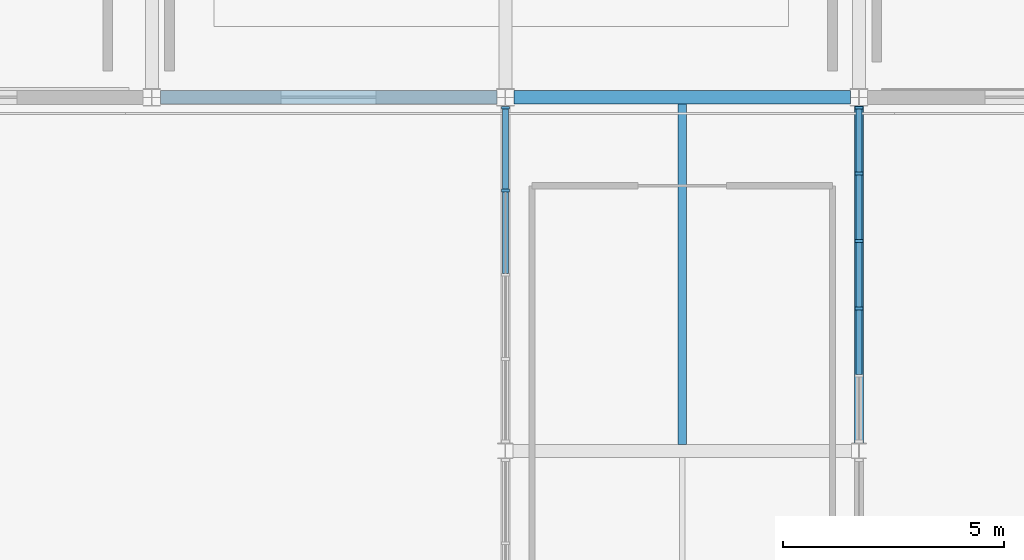
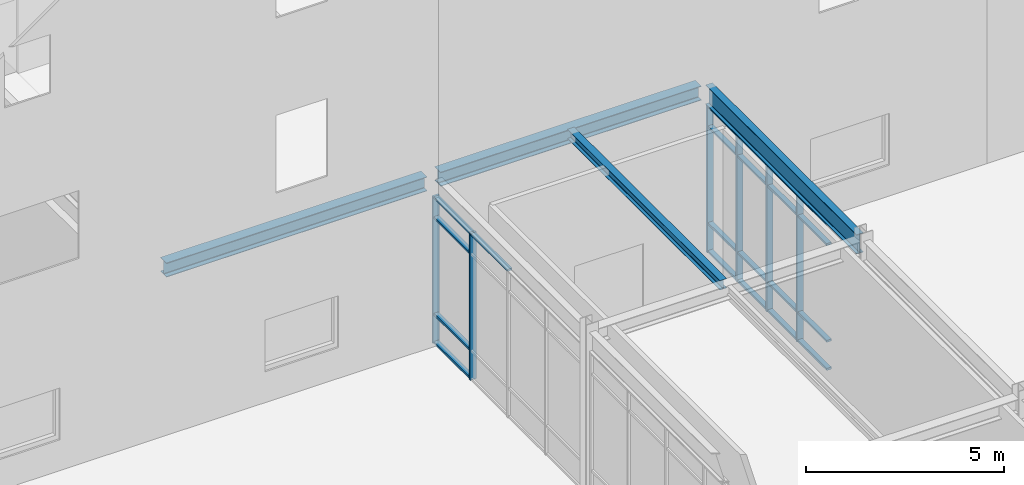
# One storey, part 39 of 119: 27 members, 4 beams, 2 elements without a shape of their own.
"""IFC4 building model written with IfcOpenShell, lengths in metres."""

from ifc_helpers import new_model, si_unit, direction, frame, origin, origin_2d, place, context, subcontext, project, spatial, rectangle, i_section, extrude, material, material_profile, profile_set, type_object, element, aggregate, save


model = new_model("IFC4")

# Units and contexts
model_context = context("Model", 3, precision=1e-05, world=origin(), true_north=direction((0.0, 1.0)))
body_context = subcontext(model_context, "Body", "Model", "MODEL_VIEW")
ifc_project = project(units=[si_unit("LENGTHUNIT", "METRE"), si_unit("AREAUNIT", "SQUARE_METRE"), si_unit("VOLUMEUNIT", "CUBIC_METRE"), si_unit("PLANEANGLEUNIT", "RADIAN"), si_unit("MASSUNIT", "GRAM", prefix="KILO")], contexts=[model_context])

# Site, building, storey
site_placement = place(None, origin())
site = spatial("IfcSite", under=ifc_project, at=site_placement, CompositionType="ELEMENT")
building_placement = place(site_placement, origin())
building = spatial("IfcBuilding", under=site, at=building_placement, Name="Zhaolan Boulevard Law Courts", CompositionType="ELEMENT")
storey_placement = place(building_placement, origin())
storey = spatial("IfcBuildingStorey", under=building, at=storey_placement, Name="L00", CompositionType="ELEMENT", Elevation=0.0)

# Curtain wall, members
ifc_material_1 = material(Name="Thermally broken aluminium and low-E glazing", Category="aluminium")
curtain_wall_type_1 = type_object("IfcCurtainWallType", Name="CURTAIN WALL M23", PredefinedType="USERDEFINED", material=ifc_material_1)
curtain_wall_1_placement = place(storey_placement, origin())
curtain_wall_1 = element("IfcCurtainWall", 1, at=curtain_wall_1_placement, inside=storey, type_object=curtain_wall_type_1, Name="Curtain Wall CW-L00-023", ObjectType="CURTAIN WALL", PredefinedType="USERDEFINED")
ifc_material_2 = material(Name="Fluorocarbon-coated aluminium 6063-T6", Category="aluminium")
ifc_material_profile_1 = material_profile(ifc_material_2, rectangle(XDim=0.179931640625, YDim=0.06494140625, at=origin_2d()), Name="AL65x180")
ifc_profile_set_1 = profile_set([ifc_material_profile_1], Name="Fluorocarbon-coated aluminium 6063-T6")
member_type_1 = type_object("IfcMemberType", Name="CWMULLION 65X180", PredefinedType="MULLION", material=ifc_profile_set_1)
member_1_placement = place(storey_placement, frame((116.0, 61.765380859375, 0.0), z_axis=(0.0, 0.0, 1.0), x_axis=(1.0, 0.0, 0.0)))
member_1 = element("IfcMember", 2, at=member_1_placement, type_object=member_type_1, Name="CW-L00-023 mullion 1", PredefinedType="MULLION", context=body_context, shape_type="SweptSolid", body=[
    extrude(rectangle(XDim=0.179931640625, YDim=0.06494140625, at=origin_2d()), origin(), (0.0, 0.0, 1.0), 4.532958984375),
])
member_2_placement = place(storey_placement, frame((116.0, 59.892822265625, 0.0), z_axis=(0.0, 0.0, 1.0), x_axis=(1.0, 0.0, 0.0)))
member_2 = element("IfcMember", 3, at=member_2_placement, type_object=member_type_1, Name="CW-L00-023 mullion 2", PredefinedType="MULLION", context=body_context, shape_type="SweptSolid", body=[
    extrude(rectangle(XDim=0.179931640625, YDim=0.06494140625, at=origin_2d()), origin(), (0.0, 0.0, 1.0), 4.532958984375),
])

ifc_material_3 = material(Name="Thermally broken aluminium and low-E glazing", Category="aluminium")
curtain_wall_type_2 = type_object("IfcCurtainWallType", Name="CURTAIN WALL M3", PredefinedType="USERDEFINED", material=ifc_material_3)
curtain_wall_2_placement = place(storey_placement, origin())
curtain_wall_2 = element("IfcCurtainWall", 4, at=curtain_wall_2_placement, inside=storey, type_object=curtain_wall_type_2, Name="Curtain Wall CW-L00-027", ObjectType="CURTAIN WALL", PredefinedType="USERDEFINED")
member_3_placement = place(storey_placement, frame((124.0, 57.225341796875, 0.0), z_axis=(0.0, 0.0, 1.0), x_axis=(-1.0, 0.0, 0.0)))
member_3 = element("IfcMember", 5, at=member_3_placement, type_object=member_type_1, Name="CW-L00-027 mullion 3", PredefinedType="MULLION", context=body_context, shape_type="SweptSolid", body=[
    extrude(rectangle(XDim=0.179931640625, YDim=0.06494140625, at=origin_2d()), origin(), (0.0, 0.0, 1.0), 4.532958984375),
])
member_4_placement = place(storey_placement, frame((124.0, 58.74951171875, 0.0), z_axis=(0.0, 0.0, 1.0), x_axis=(-1.0, 0.0, 0.0)))
member_4 = element("IfcMember", 6, at=member_4_placement, type_object=member_type_1, Name="CW-L00-027 mullion 4", PredefinedType="MULLION", context=body_context, shape_type="SweptSolid", body=[
    extrude(rectangle(XDim=0.179931640625, YDim=0.06494140625, at=origin_2d()), origin(), (0.0, 0.0, 1.0), 4.532958984375),
])
member_5_placement = place(storey_placement, frame((124.0, 60.273681640625, 0.0), z_axis=(0.0, 0.0, 1.0), x_axis=(-1.0, 0.0, 0.0)))
member_5 = element("IfcMember", 7, at=member_5_placement, type_object=member_type_1, Name="CW-L00-027 mullion 5", PredefinedType="MULLION", context=body_context, shape_type="SweptSolid", body=[
    extrude(rectangle(XDim=0.179931640625, YDim=0.06494140625, at=origin_2d()), origin(), (0.0, 0.0, 1.0), 4.532958984375),
])
member_6_placement = place(storey_placement, frame((124.0, 61.765380859375, 0.0), z_axis=(0.0, 0.0, 1.0), x_axis=(-1.0, 0.0, 0.0)))
member_6 = element("IfcMember", 8, at=member_6_placement, type_object=member_type_1, Name="CW-L00-027 mullion 6", PredefinedType="MULLION", context=body_context, shape_type="SweptSolid", body=[
    extrude(rectangle(XDim=0.179931640625, YDim=0.06494140625, at=origin_2d()), origin(), (0.0, 0.0, 1.0), 4.532958984375),
])

# Member
ifc_material_4 = material(Name="Fluorocarbon-coated aluminium 6063-T6", Category="aluminium")
ifc_material_profile_2 = material_profile(ifc_material_4, rectangle(XDim=0.139892578125, YDim=0.06494140625, at=origin_2d()), Name="AL65x140")
ifc_profile_set_2 = profile_set([ifc_material_profile_2], Name="Fluorocarbon-coated aluminium 6063-T6")
member_type_2 = type_object("IfcMemberType", Name="CWTRANSOM 65X140", PredefinedType="USERDEFINED", material=ifc_profile_set_2)
member_7_placement = place(storey_placement, frame((116.0, 61.73291015625, 0.032470703125), z_axis=(0.0, -1.0, 0.0), x_axis=(1.0, 0.0, 0.0)))
member_7 = element("IfcMember", 9, at=member_7_placement, type_object=member_type_2, Name="CW-L00-023 transom 1.1", ObjectType="TRANSOM", PredefinedType="USERDEFINED", context=body_context, shape_type="SweptSolid", body=[
    extrude(rectangle(XDim=0.139892578125, YDim=0.06494140625, at=origin_2d()), origin(), (0.0, 0.0, 1.0), 1.8076171875),
])

member_8_placement = place(storey_placement, frame((116.0, 61.73291015625, 0.89990234375), z_axis=(0.0, -1.0, 0.0), x_axis=(1.0, 0.0, 0.0)))
member_8 = element("IfcMember", 10, at=member_8_placement, type_object=member_type_2, Name="CW-L00-023 transom 1.2", ObjectType="TRANSOM", PredefinedType="USERDEFINED", context=body_context, shape_type="SweptSolid", body=[
    extrude(rectangle(XDim=0.139892578125, YDim=0.06494140625, at=origin_2d()), origin(), (0.0, 0.0, 1.0), 1.8076171875),
])

member_9_placement = place(storey_placement, frame((116.0, 61.73291015625, 3.883056640625), z_axis=(0.0, -1.0, 0.0), x_axis=(1.0, 0.0, 0.0)))
member_9 = element("IfcMember", 11, at=member_9_placement, type_object=member_type_2, Name="CW-L00-023 transom 1.3", ObjectType="TRANSOM", PredefinedType="USERDEFINED", context=body_context, shape_type="SweptSolid", body=[
    extrude(rectangle(XDim=0.139892578125, YDim=0.06494140625, at=origin_2d()), origin(), (0.0, 0.0, 1.0), 1.8076171875),
])

member_10_placement = place(storey_placement, frame((116.0, 61.73291015625, 4.50048828125), z_axis=(0.0, -1.0, 0.0), x_axis=(1.0, 0.0, 0.0)))
member_10 = element("IfcMember", 12, at=member_10_placement, type_object=member_type_2, Name="CW-L00-023 transom 1.4", ObjectType="TRANSOM", PredefinedType="USERDEFINED", context=body_context, shape_type="SweptSolid", body=[
    extrude(rectangle(XDim=0.139892578125, YDim=0.06494140625, at=origin_2d()), origin(), (0.0, 0.0, 1.0), 1.8076171875),
])

member_11_placement = place(storey_placement, frame((116.0, 59.8603515625, 4.50048828125), z_axis=(0.0, -1.0, 0.0), x_axis=(1.0, 0.0, 0.0)))
member_11 = element("IfcMember", 13, at=member_11_placement, type_object=member_type_2, Name="CW-L00-023 transom 2.4", ObjectType="TRANSOM", PredefinedType="USERDEFINED", context=body_context, shape_type="SweptSolid", body=[
    extrude(rectangle(XDim=0.139892578125, YDim=0.06494140625, at=origin_2d()), origin(), (0.0, 0.0, 1.0), 1.84033203125),
])

aggregate(curtain_wall_1, [member_1, member_2, member_7, member_8, member_9, member_10, member_11])

member_12_placement = place(storey_placement, frame((124.0, 55.733642578125, 0.032470703125), z_axis=(0.0, 1.0, 0.0), x_axis=(-1.0, 0.0, 0.0)))
member_12 = element("IfcMember", 14, at=member_12_placement, type_object=member_type_2, Name="CW-L00-027 transom 2.1", ObjectType="TRANSOM", PredefinedType="USERDEFINED", context=body_context, shape_type="SweptSolid", body=[
    extrude(rectangle(XDim=0.139892578125, YDim=0.06494140625, at=origin_2d()), origin(), (0.0, 0.0, 1.0), 1.459228515625),
])

member_13_placement = place(storey_placement, frame((124.0, 55.733642578125, 0.89990234375), z_axis=(0.0, 1.0, 0.0), x_axis=(-1.0, 0.0, 0.0)))
member_13 = element("IfcMember", 15, at=member_13_placement, type_object=member_type_2, Name="CW-L00-027 transom 2.2", ObjectType="TRANSOM", PredefinedType="USERDEFINED", context=body_context, shape_type="SweptSolid", body=[
    extrude(rectangle(XDim=0.139892578125, YDim=0.06494140625, at=origin_2d()), origin(), (0.0, 0.0, 1.0), 1.459228515625),
])

member_14_placement = place(storey_placement, frame((124.0, 55.733642578125, 3.883056640625), z_axis=(0.0, 1.0, 0.0), x_axis=(-1.0, 0.0, 0.0)))
member_14 = element("IfcMember", 16, at=member_14_placement, type_object=member_type_2, Name="CW-L00-027 transom 2.3", ObjectType="TRANSOM", PredefinedType="USERDEFINED", context=body_context, shape_type="SweptSolid", body=[
    extrude(rectangle(XDim=0.139892578125, YDim=0.06494140625, at=origin_2d()), origin(), (0.0, 0.0, 1.0), 1.459228515625),
])

member_15_placement = place(storey_placement, frame((124.0, 55.733642578125, 4.50048828125), z_axis=(0.0, 1.0, 0.0), x_axis=(-1.0, 0.0, 0.0)))
member_15 = element("IfcMember", 17, at=member_15_placement, type_object=member_type_2, Name="CW-L00-027 transom 2.4", ObjectType="TRANSOM", PredefinedType="USERDEFINED", context=body_context, shape_type="SweptSolid", body=[
    extrude(rectangle(XDim=0.139892578125, YDim=0.06494140625, at=origin_2d()), origin(), (0.0, 0.0, 1.0), 1.459228515625),
])

member_16_placement = place(storey_placement, frame((124.0, 57.2578125, 0.032470703125), z_axis=(0.0, 1.0, 0.0), x_axis=(-1.0, 0.0, 0.0)))
member_16 = element("IfcMember", 18, at=member_16_placement, type_object=member_type_2, Name="CW-L00-027 transom 3.1", ObjectType="TRANSOM", PredefinedType="USERDEFINED", context=body_context, shape_type="SweptSolid", body=[
    extrude(rectangle(XDim=0.139892578125, YDim=0.06494140625, at=origin_2d()), origin(), (0.0, 0.0, 1.0), 1.459228515625),
])

member_17_placement = place(storey_placement, frame((124.0, 57.2578125, 0.89990234375), z_axis=(0.0, 1.0, 0.0), x_axis=(-1.0, 0.0, 0.0)))
member_17 = element("IfcMember", 19, at=member_17_placement, type_object=member_type_2, Name="CW-L00-027 transom 3.2", ObjectType="TRANSOM", PredefinedType="USERDEFINED", context=body_context, shape_type="SweptSolid", body=[
    extrude(rectangle(XDim=0.139892578125, YDim=0.06494140625, at=origin_2d()), origin(), (0.0, 0.0, 1.0), 1.459228515625),
])

member_18_placement = place(storey_placement, frame((124.0, 57.2578125, 3.883056640625), z_axis=(0.0, 1.0, 0.0), x_axis=(-1.0, 0.0, 0.0)))
member_18 = element("IfcMember", 20, at=member_18_placement, type_object=member_type_2, Name="CW-L00-027 transom 3.3", ObjectType="TRANSOM", PredefinedType="USERDEFINED", context=body_context, shape_type="SweptSolid", body=[
    extrude(rectangle(XDim=0.139892578125, YDim=0.06494140625, at=origin_2d()), origin(), (0.0, 0.0, 1.0), 1.459228515625),
])

member_19_placement = place(storey_placement, frame((124.0, 57.2578125, 4.50048828125), z_axis=(0.0, 1.0, 0.0), x_axis=(-1.0, 0.0, 0.0)))
member_19 = element("IfcMember", 21, at=member_19_placement, type_object=member_type_2, Name="CW-L00-027 transom 3.4", ObjectType="TRANSOM", PredefinedType="USERDEFINED", context=body_context, shape_type="SweptSolid", body=[
    extrude(rectangle(XDim=0.139892578125, YDim=0.06494140625, at=origin_2d()), origin(), (0.0, 0.0, 1.0), 1.459228515625),
])

member_20_placement = place(storey_placement, frame((124.0, 58.781982421875, 0.032470703125), z_axis=(0.0, 1.0, 0.0), x_axis=(-1.0, 0.0, 0.0)))
member_20 = element("IfcMember", 22, at=member_20_placement, type_object=member_type_2, Name="CW-L00-027 transom 4.1", ObjectType="TRANSOM", PredefinedType="USERDEFINED", context=body_context, shape_type="SweptSolid", body=[
    extrude(rectangle(XDim=0.139892578125, YDim=0.06494140625, at=origin_2d()), origin(), (0.0, 0.0, 1.0), 1.459228515625),
])

member_21_placement = place(storey_placement, frame((124.0, 58.781982421875, 0.89990234375), z_axis=(0.0, 1.0, 0.0), x_axis=(-1.0, 0.0, 0.0)))
member_21 = element("IfcMember", 23, at=member_21_placement, type_object=member_type_2, Name="CW-L00-027 transom 4.2", ObjectType="TRANSOM", PredefinedType="USERDEFINED", context=body_context, shape_type="SweptSolid", body=[
    extrude(rectangle(XDim=0.139892578125, YDim=0.06494140625, at=origin_2d()), origin(), (0.0, 0.0, 1.0), 1.459228515625),
])

member_22_placement = place(storey_placement, frame((124.0, 58.781982421875, 3.883056640625), z_axis=(0.0, 1.0, 0.0), x_axis=(-1.0, 0.0, 0.0)))
member_22 = element("IfcMember", 24, at=member_22_placement, type_object=member_type_2, Name="CW-L00-027 transom 4.3", ObjectType="TRANSOM", PredefinedType="USERDEFINED", context=body_context, shape_type="SweptSolid", body=[
    extrude(rectangle(XDim=0.139892578125, YDim=0.06494140625, at=origin_2d()), origin(), (0.0, 0.0, 1.0), 1.459228515625),
])

member_23_placement = place(storey_placement, frame((124.0, 58.781982421875, 4.50048828125), z_axis=(0.0, 1.0, 0.0), x_axis=(-1.0, 0.0, 0.0)))
member_23 = element("IfcMember", 25, at=member_23_placement, type_object=member_type_2, Name="CW-L00-027 transom 4.4", ObjectType="TRANSOM", PredefinedType="USERDEFINED", context=body_context, shape_type="SweptSolid", body=[
    extrude(rectangle(XDim=0.139892578125, YDim=0.06494140625, at=origin_2d()), origin(), (0.0, 0.0, 1.0), 1.459228515625),
])

member_24_placement = place(storey_placement, frame((124.0, 60.306396484375, 0.032470703125), z_axis=(0.0, 1.0, 0.0), x_axis=(-1.0, 0.0, 0.0)))
member_24 = element("IfcMember", 26, at=member_24_placement, type_object=member_type_2, Name="CW-L00-027 transom 5.1", ObjectType="TRANSOM", PredefinedType="USERDEFINED", context=body_context, shape_type="SweptSolid", body=[
    extrude(rectangle(XDim=0.139892578125, YDim=0.06494140625, at=origin_2d()), origin(), (0.0, 0.0, 1.0), 1.426513671875),
])

member_25_placement = place(storey_placement, frame((124.0, 60.306396484375, 0.89990234375), z_axis=(0.0, 1.0, 0.0), x_axis=(-1.0, 0.0, 0.0)))
member_25 = element("IfcMember", 27, at=member_25_placement, type_object=member_type_2, Name="CW-L00-027 transom 5.2", ObjectType="TRANSOM", PredefinedType="USERDEFINED", context=body_context, shape_type="SweptSolid", body=[
    extrude(rectangle(XDim=0.139892578125, YDim=0.06494140625, at=origin_2d()), origin(), (0.0, 0.0, 1.0), 1.426513671875),
])

member_26_placement = place(storey_placement, frame((124.0, 60.306396484375, 3.883056640625), z_axis=(0.0, 1.0, 0.0), x_axis=(-1.0, 0.0, 0.0)))
member_26 = element("IfcMember", 28, at=member_26_placement, type_object=member_type_2, Name="CW-L00-027 transom 5.3", ObjectType="TRANSOM", PredefinedType="USERDEFINED", context=body_context, shape_type="SweptSolid", body=[
    extrude(rectangle(XDim=0.139892578125, YDim=0.06494140625, at=origin_2d()), origin(), (0.0, 0.0, 1.0), 1.426513671875),
])

member_27_placement = place(storey_placement, frame((124.0, 60.306396484375, 4.50048828125), z_axis=(0.0, 1.0, 0.0), x_axis=(-1.0, 0.0, 0.0)))
member_27 = element("IfcMember", 29, at=member_27_placement, type_object=member_type_2, Name="CW-L00-027 transom 5.4", ObjectType="TRANSOM", PredefinedType="USERDEFINED", context=body_context, shape_type="SweptSolid", body=[
    extrude(rectangle(XDim=0.139892578125, YDim=0.06494140625, at=origin_2d()), origin(), (0.0, 0.0, 1.0), 1.426513671875),
])

aggregate(curtain_wall_2, [member_3, member_4, member_5, member_6, member_12, member_13, member_14, member_15, member_16, member_17, member_18, member_19, member_20, member_21, member_22, member_23, member_24, member_25, member_26, member_27])

# Beams
ifc_material_5 = material(Name="Structural steel Q355B", Category="steel")
ifc_material_profile_3 = material_profile(ifc_material_5, i_section(OverallWidth=0.300048828125, OverallDepth=0.43994140625, WebThickness=0.010986328125, FlangeThickness=0.01806640625, FilletRadius=0.02001953125, at=origin_2d()), Name="HM440x300")
ifc_profile_set_3 = profile_set([ifc_material_profile_3], Name="Structural steel Q355B")
beam_type_1 = type_object("IfcBeamType", Name="GIRDER HM440", PredefinedType="BEAM", material=ifc_profile_set_3)
for number, where, z_axis, x_axis, name in (
    (30, (108.196044921875, 62.0, 4.89794921875), (1.0, 0.0, 0.0), (0.0, 1.0, 0.0), "Beam BX-L01-14-15-J"),
    (31, (116.196044921875, 62.0, 4.89794921875), (1.0, 0.0, 0.0), (0.0, 1.0, 0.0), "Beam BX-L01-15-16-J"),
):
    element("IfcBeam", number, at=place(storey_placement, frame(where, z_axis=z_axis, x_axis=x_axis)), inside=storey, type_object=beam_type_1, Name=name, PredefinedType="BEAM", context=body_context, shape_type="SweptSolid", body=[
        extrude(i_section(OverallWidth=0.300048828125, OverallDepth=0.43994140625, WebThickness=0.010986328125, FlangeThickness=0.01806640625, FilletRadius=0.02001953125, at=origin_2d()), origin(), (0.0, 0.0, 1.0), 7.60791015625),
    ])
ifc_material_6 = material(Name="Structural steel Q355B", Category="steel")
ifc_material_profile_4 = material_profile(ifc_material_6, i_section(OverallWidth=0.199951171875, OverallDepth=0.60009765625, WebThickness=0.010986328125, FlangeThickness=0.01708984375, FilletRadius=0.02001953125, at=origin_2d()), Name="HN600x200")
ifc_profile_set_4 = profile_set([ifc_material_profile_4], Name="Structural steel Q355B")
beam_type_2 = type_object("IfcBeamType", Name="GIRDER HN600", PredefinedType="BEAM", material=ifc_profile_set_4)
beam_1_placement = place(storey_placement, frame((124.0, 54.1708984375, 4.847900390625), z_axis=(0.0, 1.0, 0.0), x_axis=(-1.0, 0.0, 0.0)))
element("IfcBeam", 32, at=beam_1_placement, inside=storey, type_object=beam_type_2, Name="Beam BY-L01-16-H-J", PredefinedType="BEAM", context=body_context, shape_type="SweptSolid", body=[
    extrude(i_section(OverallWidth=0.199951171875, OverallDepth=0.60009765625, WebThickness=0.010986328125, FlangeThickness=0.01708984375, FilletRadius=0.02001953125, at=origin_2d()), origin(), (0.0, 0.0, 1.0), 7.633056640625),
])
ifc_material_7 = material(Name="Structural steel Q355B", Category="steel")
ifc_material_profile_5 = material_profile(ifc_material_7, i_section(OverallWidth=0.199951171875, OverallDepth=0.2939453125, WebThickness=0.008056640625, FlangeThickness=0.011962890625, FilletRadius=0.01611328125, at=origin_2d()), Name="HM294x200")
ifc_profile_set_5 = profile_set([ifc_material_profile_5], Name="Structural steel Q355B")
beam_type_3 = type_object("IfcBeamType", Name="JOIST HM294", PredefinedType="JOIST", material=ifc_profile_set_5)
beam_2_placement = place(storey_placement, frame((120.0, 54.14599609375, 5.0009765625), z_axis=(0.0, 1.0, 0.0), x_axis=(-1.0, 0.0, 0.0)))
element("IfcBeam", 33, at=beam_2_placement, inside=storey, type_object=beam_type_3, Name="Composite Joist J-L01-15H", PredefinedType="JOIST", context=body_context, shape_type="SweptSolid", body=[
    extrude(i_section(OverallWidth=0.199951171875, OverallDepth=0.2939453125, WebThickness=0.008056640625, FlangeThickness=0.011962890625, FilletRadius=0.01611328125, at=origin_2d()), origin(), (0.0, 0.0, 1.0), 7.7080078125),
])

save(model, "model.ifc")
